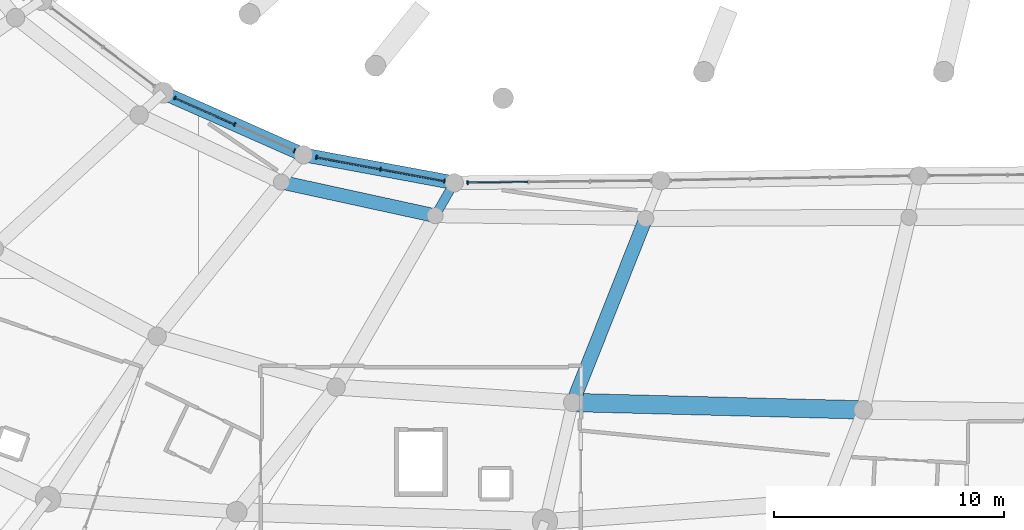
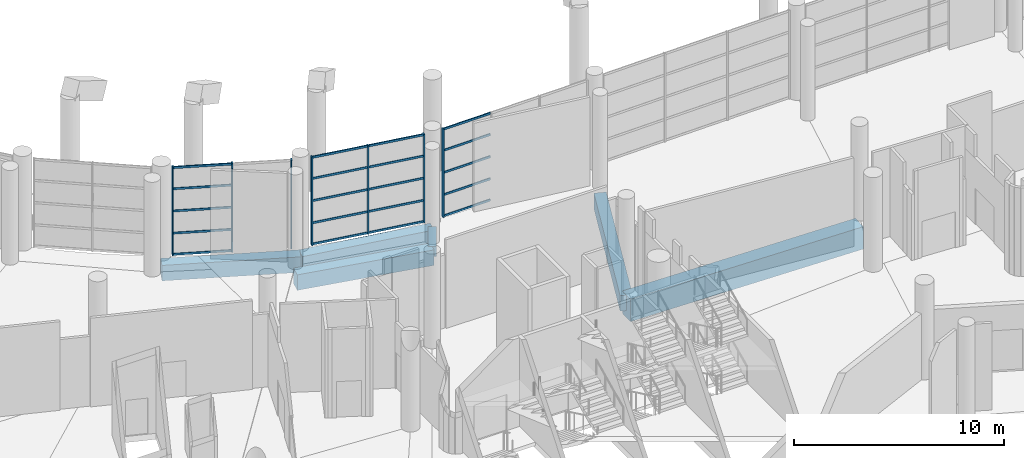
# One storey, part 24 of 271: 27 members, 6 beams, 3 elements without a shape of their own.
"""IFC4 building model written with IfcOpenShell, lengths in metres."""

from ifc_helpers import new_model, si_unit, direction, frame, origin, origin_2d, place, context, subcontext, project, spatial, rectangle, extrude, material, layer, layer_set, material_profile, profile_set, type_object, element, aggregate, save


model = new_model("IFC4")

# Units and contexts
model_context = context("Model", 3, precision=1e-05, world=origin(), true_north=direction((0.0, 1.0)))
body_context = subcontext(model_context, "Body", "Model", "MODEL_VIEW")
ifc_project = project(units=[si_unit("LENGTHUNIT", "METRE"), si_unit("AREAUNIT", "SQUARE_METRE"), si_unit("VOLUMEUNIT", "CUBIC_METRE"), si_unit("PLANEANGLEUNIT", "RADIAN"), si_unit("MASSUNIT", "GRAM", prefix="KILO")], contexts=[model_context])

# Site, building, storey
site_placement = place(None, origin())
site = spatial("IfcSite", under=ifc_project, at=site_placement, CompositionType="ELEMENT")
building_placement = place(site_placement, origin())
building = spatial("IfcBuilding", under=site, at=building_placement, Name="Meseta Stadium", CompositionType="ELEMENT")
storey_placement = place(building_placement, frame((0.0, 0.0, 6.5)))
storey = spatial("IfcBuildingStorey", under=building, at=storey_placement, Name="L01", CompositionType="ELEMENT", Elevation=6.5)

# Curtain wall, members
ifc_material_1 = material(Name="Aluminium", Category="aluminium")
ifc_layer = layer(ifc_material_1, 0.199951171875)
ifc_layer_set = layer_set([ifc_layer], Name="Club glazing curtain wall")
curtain_wall_type = type_object("IfcCurtainWallType", Name="Club glazing curtain wall", PredefinedType="NOTDEFINED", material=ifc_layer_set)
curtain_wall_1_placement = place(storey_placement, origin())
curtain_wall_1 = element("IfcCurtainWall", 1, at=curtain_wall_1_placement, inside=storey, type_object=curtain_wall_type, Name="Club glazing bay 41", PredefinedType="NOTDEFINED")
ifc_material_2 = material(Name="Aluminium", Category="aluminium")
ifc_material_profile_1 = material_profile(ifc_material_2, rectangle(XDim=0.159912109375, YDim=0.06005859375, at=origin_2d()), Name="CW 160x60")
ifc_profile_set_1 = profile_set([ifc_material_profile_1], Name="Aluminium")
member_type_1 = type_object("IfcMemberType", Name="CW mullion 60x160", PredefinedType="MULLION", material=ifc_profile_set_1)
member_1_placement = place(storey_placement, frame((-49.0126953125, -72.148193359375, 0.0), z_axis=(0.0, 0.0, 1.0), x_axis=(0.40452428424, 0.914527256817, 0.0)))
member_1 = element("IfcMember", 2, at=member_1_placement, type_object=member_type_1, Name="CWC mullion 1", PredefinedType="MULLION", context=body_context, shape_type="SweptSolid", body=[
    extrude(rectangle(XDim=0.159912109375, YDim=0.06005859375, at=origin_2d()), origin(), (0.0, 0.0, 1.0), 5.14990234375),
])
member_2_placement = place(storey_placement, frame((-46.41796875, -73.2958984375, 0.0), z_axis=(0.0, 0.0, 1.0), x_axis=(0.40452428424, 0.914527256817, 0.0)))
member_2 = element("IfcMember", 3, at=member_2_placement, type_object=member_type_1, Name="CWC mullion 2", PredefinedType="MULLION", context=body_context, shape_type="SweptSolid", body=[
    extrude(rectangle(XDim=0.159912109375, YDim=0.06005859375, at=origin_2d()), origin(), (0.0, 0.0, 1.0), 5.14990234375),
])
member_3_placement = place(storey_placement, frame((-43.823486328125, -74.443603515625, 0.0), z_axis=(0.0, 0.0, 1.0), x_axis=(0.40452428424, 0.914527256817, 0.0)))
member_3 = element("IfcMember", 4, at=member_3_placement, type_object=member_type_1, Name="CWC mullion 3", PredefinedType="MULLION", context=body_context, shape_type="SweptSolid", body=[
    extrude(rectangle(XDim=0.159912109375, YDim=0.06005859375, at=origin_2d()), origin(), (0.0, 0.0, 1.0), 5.14990234375),
])

curtain_wall_2_placement = place(storey_placement, origin())
curtain_wall_2 = element("IfcCurtainWall", 5, at=curtain_wall_2_placement, inside=storey, type_object=curtain_wall_type, Name="Club glazing bay 42", PredefinedType="NOTDEFINED")
member_4_placement = place(storey_placement, frame((-42.86572265625, -74.722412109375, 0.0), z_axis=(0.0, 0.0, 1.0), x_axis=(0.182600324962, 0.983187225977, 0.0)))
member_4 = element("IfcMember", 6, at=member_4_placement, type_object=member_type_1, Name="CWC mullion 1", PredefinedType="MULLION", context=body_context, shape_type="SweptSolid", body=[
    extrude(rectangle(XDim=0.159912109375, YDim=0.06005859375, at=origin_2d()), origin(), (0.0, 0.0, 1.0), 5.14990234375),
])
member_5_placement = place(storey_placement, frame((-40.087158203125, -75.23828125, 0.0), z_axis=(0.0, 0.0, 1.0), x_axis=(0.182600324962, 0.983187225977, 0.0)))
member_5 = element("IfcMember", 7, at=member_5_placement, type_object=member_type_1, Name="CWC mullion 2", PredefinedType="MULLION", context=body_context, shape_type="SweptSolid", body=[
    extrude(rectangle(XDim=0.159912109375, YDim=0.06005859375, at=origin_2d()), origin(), (0.0, 0.0, 1.0), 5.14990234375),
])
member_6_placement = place(storey_placement, frame((-37.308349609375, -75.75439453125, 0.0), z_axis=(0.0, 0.0, 1.0), x_axis=(0.182600324962, 0.983187225977, 0.0)))
member_6 = element("IfcMember", 8, at=member_6_placement, type_object=member_type_1, Name="CWC mullion 3", PredefinedType="MULLION", context=body_context, shape_type="SweptSolid", body=[
    extrude(rectangle(XDim=0.159912109375, YDim=0.06005859375, at=origin_2d()), origin(), (0.0, 0.0, 1.0), 5.14990234375),
])

# Curtain wall, member
curtain_wall_3_placement = place(storey_placement, origin())
curtain_wall_3 = element("IfcCurtainWall", 9, at=curtain_wall_3_placement, inside=storey, type_object=curtain_wall_type, Name="Club glazing bay 43", PredefinedType="NOTDEFINED")
member_7_placement = place(storey_placement, frame((-36.29931640625, -75.82666015625, 0.0), z_axis=(0.0, 0.0, 1.0), x_axis=(-0.010842515481, 0.999941218201, 0.0)))
member_7 = element("IfcMember", 10, at=member_7_placement, type_object=member_type_1, Name="CWC mullion 1", PredefinedType="MULLION", context=body_context, shape_type="SweptSolid", body=[
    extrude(rectangle(XDim=0.159912109375, YDim=0.06005859375, at=origin_2d()), origin(), (0.0, 0.0, 1.0), 5.14990234375),
])

# Member
ifc_material_3 = material(Name="Aluminium", Category="aluminium")
ifc_material_profile_2 = material_profile(ifc_material_3, rectangle(XDim=0.06005859375, YDim=0.1201171875, at=origin_2d()), Name="CW 60x120")
ifc_profile_set_2 = profile_set([ifc_material_profile_2], Name="Aluminium")
member_type_2 = type_object("IfcMemberType", Name="CW transom 60x120", PredefinedType="USERDEFINED", material=ifc_profile_set_2)
member_8_placement = place(storey_placement, frame((-48.985107421875, -72.160400390625, 0.06005859375), z_axis=(0.914499058319, -0.404588027916, 0.0), x_axis=(0.404588027916, 0.914499058319, 0.0)))
member_8 = element("IfcMember", 11, at=member_8_placement, type_object=member_type_2, Name="CWC transom 1.1", ObjectType="TRANSOM", PredefinedType="USERDEFINED", context=body_context, shape_type="SweptSolid", body=[
    extrude(rectangle(XDim=0.06005859375, YDim=0.1201171875, at=origin_2d()), origin(), (0.0, 0.0, 1.0), 2.777099609375),
])

member_9_placement = place(storey_placement, frame((-48.985107421875, -72.160400390625, 1.28759765625), z_axis=(0.914499058319, -0.404588027916, 0.0), x_axis=(0.404588027916, 0.914499058319, 0.0)))
member_9 = element("IfcMember", 12, at=member_9_placement, type_object=member_type_2, Name="CWC transom 1.2", ObjectType="TRANSOM", PredefinedType="USERDEFINED", context=body_context, shape_type="SweptSolid", body=[
    extrude(rectangle(XDim=0.06005859375, YDim=0.1201171875, at=origin_2d()), origin(), (0.0, 0.0, 1.0), 2.777099609375),
])

member_10_placement = place(storey_placement, frame((-48.985107421875, -72.160400390625, 2.574951171875), z_axis=(0.914499058319, -0.404588027916, 0.0), x_axis=(0.404588027916, 0.914499058319, 0.0)))
member_10 = element("IfcMember", 13, at=member_10_placement, type_object=member_type_2, Name="CWC transom 1.3", ObjectType="TRANSOM", PredefinedType="USERDEFINED", context=body_context, shape_type="SweptSolid", body=[
    extrude(rectangle(XDim=0.06005859375, YDim=0.1201171875, at=origin_2d()), origin(), (0.0, 0.0, 1.0), 2.777099609375),
])

member_11_placement = place(storey_placement, frame((-48.985107421875, -72.160400390625, 3.862548828125), z_axis=(0.914499058319, -0.404588027916, 0.0), x_axis=(0.404588027916, 0.914499058319, 0.0)))
member_11 = element("IfcMember", 14, at=member_11_placement, type_object=member_type_2, Name="CWC transom 1.4", ObjectType="TRANSOM", PredefinedType="USERDEFINED", context=body_context, shape_type="SweptSolid", body=[
    extrude(rectangle(XDim=0.06005859375, YDim=0.1201171875, at=origin_2d()), origin(), (0.0, 0.0, 1.0), 2.777099609375),
])

member_12_placement = place(storey_placement, frame((-48.985107421875, -72.160400390625, 5.090087890625), z_axis=(0.914499058319, -0.404588027916, 0.0), x_axis=(0.404588027916, 0.914499058319, 0.0)))
member_12 = element("IfcMember", 15, at=member_12_placement, type_object=member_type_2, Name="CWC transom 1.5", ObjectType="TRANSOM", PredefinedType="USERDEFINED", context=body_context, shape_type="SweptSolid", body=[
    extrude(rectangle(XDim=0.06005859375, YDim=0.1201171875, at=origin_2d()), origin(), (0.0, 0.0, 1.0), 2.777099609375),
])

aggregate(curtain_wall_1, [member_1, member_2, member_3, member_8, member_9, member_10, member_11, member_12])

member_13_placement = place(storey_placement, frame((-42.836181640625, -74.727783203125, 0.06005859375), z_axis=(0.983186472546, -0.182604381661, 0.0), x_axis=(0.182604381661, 0.983186472546, 0.0)))
member_13 = element("IfcMember", 16, at=member_13_placement, type_object=member_type_2, Name="CWC transom 1.1", ObjectType="TRANSOM", PredefinedType="USERDEFINED", context=body_context, shape_type="SweptSolid", body=[
    extrude(rectangle(XDim=0.06005859375, YDim=0.1201171875, at=origin_2d()), origin(), (0.0, 0.0, 1.0), 2.766357421875),
])

member_14_placement = place(storey_placement, frame((-42.836181640625, -74.727783203125, 1.28759765625), z_axis=(0.983186472546, -0.182604381661, 0.0), x_axis=(0.182604381661, 0.983186472546, 0.0)))
member_14 = element("IfcMember", 17, at=member_14_placement, type_object=member_type_2, Name="CWC transom 1.2", ObjectType="TRANSOM", PredefinedType="USERDEFINED", context=body_context, shape_type="SweptSolid", body=[
    extrude(rectangle(XDim=0.06005859375, YDim=0.1201171875, at=origin_2d()), origin(), (0.0, 0.0, 1.0), 2.766357421875),
])

member_15_placement = place(storey_placement, frame((-42.836181640625, -74.727783203125, 2.574951171875), z_axis=(0.983186472546, -0.182604381661, 0.0), x_axis=(0.182604381661, 0.983186472546, 0.0)))
member_15 = element("IfcMember", 18, at=member_15_placement, type_object=member_type_2, Name="CWC transom 1.3", ObjectType="TRANSOM", PredefinedType="USERDEFINED", context=body_context, shape_type="SweptSolid", body=[
    extrude(rectangle(XDim=0.06005859375, YDim=0.1201171875, at=origin_2d()), origin(), (0.0, 0.0, 1.0), 2.766357421875),
])

member_16_placement = place(storey_placement, frame((-42.836181640625, -74.727783203125, 3.862548828125), z_axis=(0.983186472546, -0.182604381661, 0.0), x_axis=(0.182604381661, 0.983186472546, 0.0)))
member_16 = element("IfcMember", 19, at=member_16_placement, type_object=member_type_2, Name="CWC transom 1.4", ObjectType="TRANSOM", PredefinedType="USERDEFINED", context=body_context, shape_type="SweptSolid", body=[
    extrude(rectangle(XDim=0.06005859375, YDim=0.1201171875, at=origin_2d()), origin(), (0.0, 0.0, 1.0), 2.766357421875),
])

member_17_placement = place(storey_placement, frame((-42.836181640625, -74.727783203125, 5.090087890625), z_axis=(0.983186472546, -0.182604381661, 0.0), x_axis=(0.182604381661, 0.983186472546, 0.0)))
member_17 = element("IfcMember", 20, at=member_17_placement, type_object=member_type_2, Name="CWC transom 1.5", ObjectType="TRANSOM", PredefinedType="USERDEFINED", context=body_context, shape_type="SweptSolid", body=[
    extrude(rectangle(XDim=0.06005859375, YDim=0.1201171875, at=origin_2d()), origin(), (0.0, 0.0, 1.0), 2.766357421875),
])

member_18_placement = place(storey_placement, frame((-40.0576171875, -75.243896484375, 0.06005859375), z_axis=(0.983186472546, -0.182604381661, 0.0), x_axis=(0.182604381661, 0.983186472546, 0.0)))
member_18 = element("IfcMember", 21, at=member_18_placement, type_object=member_type_2, Name="CWC transom 2.1", ObjectType="TRANSOM", PredefinedType="USERDEFINED", context=body_context, shape_type="SweptSolid", body=[
    extrude(rectangle(XDim=0.06005859375, YDim=0.1201171875, at=origin_2d()), origin(), (0.0, 0.0, 1.0), 2.766357421875),
])

member_19_placement = place(storey_placement, frame((-40.0576171875, -75.243896484375, 1.28759765625), z_axis=(0.983186472546, -0.182604381661, 0.0), x_axis=(0.182604381661, 0.983186472546, 0.0)))
member_19 = element("IfcMember", 22, at=member_19_placement, type_object=member_type_2, Name="CWC transom 2.2", ObjectType="TRANSOM", PredefinedType="USERDEFINED", context=body_context, shape_type="SweptSolid", body=[
    extrude(rectangle(XDim=0.06005859375, YDim=0.1201171875, at=origin_2d()), origin(), (0.0, 0.0, 1.0), 2.766357421875),
])

member_20_placement = place(storey_placement, frame((-40.0576171875, -75.243896484375, 2.574951171875), z_axis=(0.983186472546, -0.182604381661, 0.0), x_axis=(0.182604381661, 0.983186472546, 0.0)))
member_20 = element("IfcMember", 23, at=member_20_placement, type_object=member_type_2, Name="CWC transom 2.3", ObjectType="TRANSOM", PredefinedType="USERDEFINED", context=body_context, shape_type="SweptSolid", body=[
    extrude(rectangle(XDim=0.06005859375, YDim=0.1201171875, at=origin_2d()), origin(), (0.0, 0.0, 1.0), 2.766357421875),
])

member_21_placement = place(storey_placement, frame((-40.0576171875, -75.243896484375, 3.862548828125), z_axis=(0.983186472546, -0.182604381661, 0.0), x_axis=(0.182604381661, 0.983186472546, 0.0)))
member_21 = element("IfcMember", 24, at=member_21_placement, type_object=member_type_2, Name="CWC transom 2.4", ObjectType="TRANSOM", PredefinedType="USERDEFINED", context=body_context, shape_type="SweptSolid", body=[
    extrude(rectangle(XDim=0.06005859375, YDim=0.1201171875, at=origin_2d()), origin(), (0.0, 0.0, 1.0), 2.766357421875),
])

member_22_placement = place(storey_placement, frame((-40.0576171875, -75.243896484375, 5.090087890625), z_axis=(0.983186472546, -0.182604381661, 0.0), x_axis=(0.182604381661, 0.983186472546, 0.0)))
member_22 = element("IfcMember", 25, at=member_22_placement, type_object=member_type_2, Name="CWC transom 2.5", ObjectType="TRANSOM", PredefinedType="USERDEFINED", context=body_context, shape_type="SweptSolid", body=[
    extrude(rectangle(XDim=0.06005859375, YDim=0.1201171875, at=origin_2d()), origin(), (0.0, 0.0, 1.0), 2.766357421875),
])

aggregate(curtain_wall_2, [member_4, member_5, member_6, member_13, member_14, member_15, member_16, member_17, member_18, member_19, member_20, member_21, member_22])

member_23_placement = place(storey_placement, frame((-36.269287109375, -75.826171875, 0.06005859375), z_axis=(0.999941943259, 0.010775440167, 0.0), x_axis=(-0.010775440167, 0.999941943259, 0.0)))
member_23 = element("IfcMember", 26, at=member_23_placement, type_object=member_type_2, Name="CWC transom 1.1", ObjectType="TRANSOM", PredefinedType="USERDEFINED", context=body_context, shape_type="SweptSolid", body=[
    extrude(rectangle(XDim=0.06005859375, YDim=0.1201171875, at=origin_2d()), origin(), (0.0, 0.0, 1.0), 2.5830078125),
])

member_24_placement = place(storey_placement, frame((-36.269287109375, -75.826171875, 1.28759765625), z_axis=(0.999941943259, 0.010775440167, 0.0), x_axis=(-0.010775440167, 0.999941943259, 0.0)))
member_24 = element("IfcMember", 27, at=member_24_placement, type_object=member_type_2, Name="CWC transom 1.2", ObjectType="TRANSOM", PredefinedType="USERDEFINED", context=body_context, shape_type="SweptSolid", body=[
    extrude(rectangle(XDim=0.06005859375, YDim=0.1201171875, at=origin_2d()), origin(), (0.0, 0.0, 1.0), 2.5830078125),
])

member_25_placement = place(storey_placement, frame((-36.269287109375, -75.826171875, 2.574951171875), z_axis=(0.999941943259, 0.010775440167, 0.0), x_axis=(-0.010775440167, 0.999941943259, 0.0)))
member_25 = element("IfcMember", 28, at=member_25_placement, type_object=member_type_2, Name="CWC transom 1.3", ObjectType="TRANSOM", PredefinedType="USERDEFINED", context=body_context, shape_type="SweptSolid", body=[
    extrude(rectangle(XDim=0.06005859375, YDim=0.1201171875, at=origin_2d()), origin(), (0.0, 0.0, 1.0), 2.5830078125),
])

member_26_placement = place(storey_placement, frame((-36.269287109375, -75.826171875, 3.862548828125), z_axis=(0.999941943259, 0.010775440167, 0.0), x_axis=(-0.010775440167, 0.999941943259, 0.0)))
member_26 = element("IfcMember", 29, at=member_26_placement, type_object=member_type_2, Name="CWC transom 1.4", ObjectType="TRANSOM", PredefinedType="USERDEFINED", context=body_context, shape_type="SweptSolid", body=[
    extrude(rectangle(XDim=0.06005859375, YDim=0.1201171875, at=origin_2d()), origin(), (0.0, 0.0, 1.0), 2.5830078125),
])

member_27_placement = place(storey_placement, frame((-36.269287109375, -75.826171875, 5.090087890625), z_axis=(0.999941943259, 0.010775440167, 0.0), x_axis=(-0.010775440167, 0.999941943259, 0.0)))
member_27 = element("IfcMember", 30, at=member_27_placement, type_object=member_type_2, Name="CWC transom 1.5", ObjectType="TRANSOM", PredefinedType="USERDEFINED", context=body_context, shape_type="SweptSolid", body=[
    extrude(rectangle(XDim=0.06005859375, YDim=0.1201171875, at=origin_2d()), origin(), (0.0, 0.0, 1.0), 2.5830078125),
])

aggregate(curtain_wall_3, [member_7, member_23, member_24, member_25, member_26, member_27])

# Beams
ifc_material_4 = material(Name="Concrete C40/50", Category="concrete")
ifc_material_profile_3 = material_profile(ifc_material_4, rectangle(XDim=0.39990234375, YDim=0.60009765625, at=origin_2d()), Name="RC 400x600")
ifc_profile_set_3 = profile_set([ifc_material_profile_3], Name="Concrete C40/50")
beam_type_1 = type_object("IfcBeamType", Name="RC beam 400x600", PredefinedType="BEAM", material=ifc_profile_set_3)
beam_1_placement = place(storey_placement, frame((-36.885986328125, -75.8330078125, -0.64990234375), z_axis=(-0.500371262739, -0.865810949009, 0.0), x_axis=(0.865810949009, -0.500371262739, 0.0)))
element("IfcBeam", 31, at=beam_1_placement, inside=storey, type_object=beam_type_1, Name="L01 radial beam frame 43 line C to D", PredefinedType="BEAM", context=body_context, shape_type="SweptSolid", body=[
    extrude(rectangle(XDim=0.39990234375, YDim=0.60009765625, at=origin_2d()), origin(), (0.0, 0.0, 1.0), 1.650146484375),
])
ifc_material_5 = material(Name="Concrete C40/50", Category="concrete")
ifc_material_profile_4 = material_profile(ifc_material_5, rectangle(XDim=0.60009765625, YDim=0.89990234375, at=origin_2d()), Name="RC 600x900")
ifc_profile_set_4 = profile_set([ifc_material_profile_4], Name="Concrete C40/50")
beam_type_2 = type_object("IfcBeamType", Name="RC beam 600x900", PredefinedType="BEAM", material=ifc_profile_set_4)
beam_2_placement = place(storey_placement, frame((-49.518310546875, -71.924560546875, -0.800048828125), z_axis=(0.914526988421, -0.404524891013, 0.0), x_axis=(0.404524891013, 0.914526988421, 0.0)))
element("IfcBeam", 32, at=beam_2_placement, inside=storey, type_object=beam_type_2, Name="L01 ring beam frame 41 line C", PredefinedType="BEAM", context=body_context, shape_type="SweptSolid", body=[
    extrude(rectangle(XDim=0.60009765625, YDim=0.89990234375, at=origin_2d()), origin(), (0.0, 0.0, 1.0), 6.656982421875),
])
beam_3_placement = place(storey_placement, frame((-43.430419921875, -74.617431640625, -0.800048828125), z_axis=(0.983183844392, -0.182618531718, 0.0), x_axis=(0.182618531718, 0.983183844392, 0.0)))
element("IfcBeam", 33, at=beam_3_placement, inside=storey, type_object=beam_type_2, Name="L01 ring beam frame 42 line C", PredefinedType="BEAM", context=body_context, shape_type="SweptSolid", body=[
    extrude(rectangle(XDim=0.60009765625, YDim=0.89990234375, at=origin_2d()), origin(), (0.0, 0.0, 1.0), 6.65625),
])
beam_4_placement = place(storey_placement, frame((-44.389892578125, -75.806396484375, -0.800048828125), z_axis=(0.977068887475, -0.212923434899, 0.0), x_axis=(0.212923434899, 0.977068887475, 0.0)))
element("IfcBeam", 34, at=beam_4_placement, inside=storey, type_object=beam_type_2, Name="L01 ring beam frame 42 line D", PredefinedType="BEAM", context=body_context, shape_type="SweptSolid", body=[
    extrude(rectangle(XDim=0.60009765625, YDim=0.89990234375, at=origin_2d()), origin(), (0.0, 0.0, 1.0), 6.8349609375),
])
beam_5_placement = place(storey_placement, frame((-28.564697265625, -77.38330078125, -0.800048828125), z_axis=(-0.36885875695, -0.929485458424, 0.0), x_axis=(0.929485458424, -0.36885875695, 0.0)))
element("IfcBeam", 35, at=beam_5_placement, inside=storey, type_object=beam_type_2, Name="L01 radial beam frame 44 line D to E", PredefinedType="BEAM", context=body_context, shape_type="SweptSolid", body=[
    extrude(rectangle(XDim=0.60009765625, YDim=0.89990234375, at=origin_2d()), origin(), (0.0, 0.0, 1.0), 8.599853515625),
])
ifc_material_6 = material(Name="Concrete C40/50", Category="concrete")
ifc_material_profile_5 = material_profile(ifc_material_6, rectangle(XDim=0.800048828125, YDim=1.300048828125, at=origin_2d()), Name="RC 800x1300")
ifc_profile_set_5 = profile_set([ifc_material_profile_5], Name="Concrete C40/50")
beam_type_3 = type_object("IfcBeamType", Name="RC beam 800x1300", PredefinedType="BEAM", material=ifc_profile_set_5)
beam_6_placement = place(storey_placement, frame((-31.73681640625, -85.376708984375, -1.0), z_axis=(0.999675497622, -0.02547350496, 0.0), x_axis=(0.02547350496, 0.999675497622, 0.0)))
element("IfcBeam", 36, at=beam_6_placement, inside=storey, type_object=beam_type_3, Name="L01 ring beam frame 44 line E", PredefinedType="BEAM", context=body_context, shape_type="SweptSolid", body=[
    extrude(rectangle(XDim=0.800048828125, YDim=1.300048828125, at=origin_2d()), origin(), (0.0, 0.0, 1.0), 12.622314453125),
])

save(model, "model.ifc")
